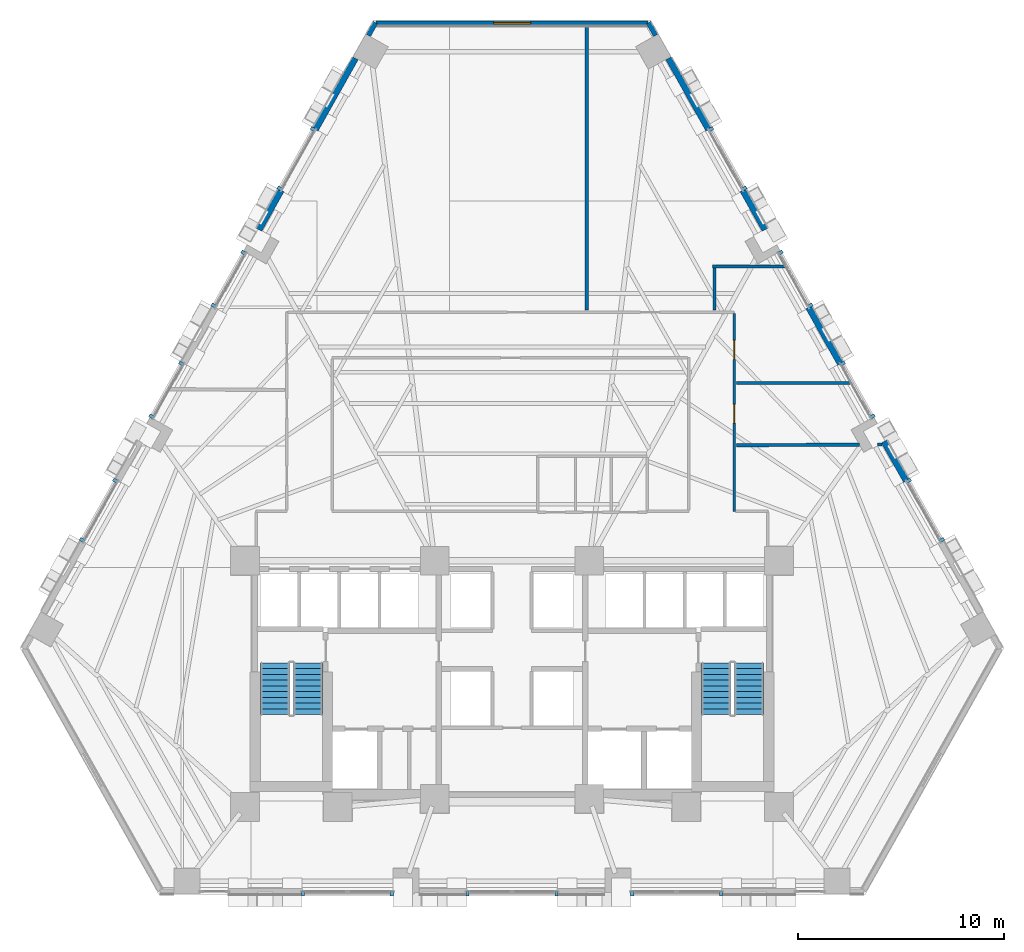
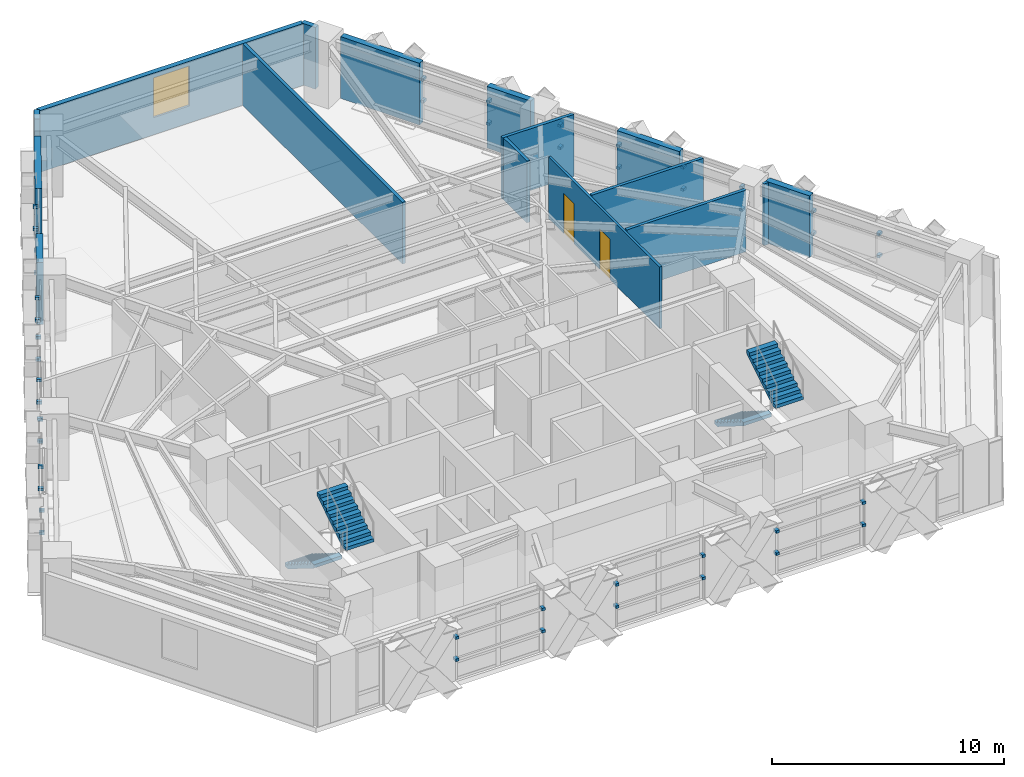
# One storey, part 9 of 13: 44 discrete accessories, 16 walls, 4 stair flights, 2 doors, 1 window, 3 openings, 2 elements without a shape of their own.
"""IFC4 building model written with IfcOpenShell, lengths in metres."""

from ifc_helpers import new_model, si_unit, direction, frame, frame_2d, origin, origin_2d, place, context, subcontext, project, spatial, polyline, rectangle, outline, extrude, material, layer, layer_set, type_object, element, fill, aggregate, save


model = new_model("IFC4")

# Units and contexts
model_context = context("Model", 3, precision=1e-05, world=origin(), true_north=direction((0.0, 1.0)))
body_context = subcontext(model_context, "Body", "Model", "MODEL_VIEW")
ifc_project = project(units=[si_unit("LENGTHUNIT", "METRE"), si_unit("AREAUNIT", "SQUARE_METRE"), si_unit("VOLUMEUNIT", "CUBIC_METRE"), si_unit("PLANEANGLEUNIT", "RADIAN"), si_unit("MASSUNIT", "GRAM", prefix="KILO")], contexts=[model_context])

# Site, building, storey
site_placement = place(None, origin())
site = spatial("IfcSite", under=ifc_project, at=site_placement, CompositionType="ELEMENT")
building_placement = place(site_placement, origin())
building = spatial("IfcBuilding", under=site, at=building_placement, Name="Quenlor Broadcast Tower", CompositionType="ELEMENT")
storey_placement = place(building_placement, frame((0.0, 0.0, 41.60009765625)))
storey = spatial("IfcBuildingStorey", under=building, at=storey_placement, Name="L10", CompositionType="ELEMENT", Elevation=41.60009765625)

# Walls
ifc_material_1 = material(Name="Gypsum Fireboard Partition", Category="other")
ifc_layer_1 = layer(ifc_material_1, 0.159912109375)
ifc_layer_set_1 = layer_set([ifc_layer_1], Name="Fire Rated Shaft and Corridor Partition 160")
wall_type_1 = type_object("IfcWallType", Name="Fire Rated Shaft and Corridor Partition 160", PredefinedType="PARTITIONING", material=ifc_layer_set_1)
wall_1_placement = place(storey_placement, frame((3.6201171875, 21.14990234375, 0.0), z_axis=(0.0, 0.0, 1.0), x_axis=(0.0, -1.0, 0.0)))
element("IfcWall", 1, at=wall_1_placement, inside=storey, type_object=wall_type_1, Name="L10 Interior Wall PW-DV-01", PredefinedType="PARTITIONING", context=body_context, shape_type="SweptSolid", body=[
    extrude(rectangle(XDim=13.789794921875, YDim=0.159912109375, at=frame_2d((6.89501953125, 0.0))), origin(), (0.0, 0.0, 1.0), 3.25),
])
wall_2_placement = place(storey_placement, frame((13.265869140625, 9.469482421875, 0.0), z_axis=(0.0, 0.0, 1.0), x_axis=(-0.999999314993, 0.001170475651, 0.0)))
element("IfcWall", 2, at=wall_2_placement, inside=storey, type_object=wall_type_1, Name="L10 Interior Wall PW-DV-02", PredefinedType="PARTITIONING", context=body_context, shape_type="SweptSolid", body=[
    extrude(rectangle(XDim=3.5458984375, YDim=0.159912109375, at=frame_2d((1.77294921875, 0.0))), origin(), (0.0, 0.0, 1.0), 3.25),
])
wall_3_placement = place(storey_placement, frame((9.820068359375, 9.3916015625, 0.0), z_axis=(0.0, 0.0, 1.0), x_axis=(0.0, -1.0, 0.0)))
element("IfcWall", 3, at=wall_3_placement, inside=storey, type_object=wall_type_1, Name="L10 Interior Wall PW-DV-03", PredefinedType="PARTITIONING", context=body_context, shape_type="SweptSolid", body=[
    extrude(rectangle(XDim=2.031494140625, YDim=0.159912109375, at=frame_2d((1.015625, 0.0))), origin(), (0.0, 0.0, 1.0), 3.25),
])
wall_4_placement = place(storey_placement, frame((16.443603515625, 3.820068359375, 0.0), z_axis=(0.0, 0.0, 1.0), x_axis=(-1.0, 0.0, 0.0)))
element("IfcWall", 4, at=wall_4_placement, inside=storey, type_object=wall_type_1, Name="L10 Interior Wall PW-DV-05", PredefinedType="PARTITIONING", context=body_context, shape_type="SweptSolid", body=[
    extrude(rectangle(XDim=5.55859375, YDim=0.159912109375, at=frame_2d((2.779296875, 0.0))), origin(), (0.0, 0.0, 1.0), 3.25),
])
wall_5_placement = place(storey_placement, frame((17.95751953125, 0.83935546875, 0.0), z_axis=(0.0, 0.0, 1.0), x_axis=(-0.999984076732, -0.005643250997, 0.0)))
element("IfcWall", 5, at=wall_5_placement, inside=storey, type_object=wall_type_1, Name="L10 Interior Wall PW-DV-06", PredefinedType="PARTITIONING", context=body_context, shape_type="SweptSolid", body=[
    extrude(rectangle(XDim=0.21630859375, YDim=0.159912109375, at=frame_2d((0.108154296875, 0.0))), origin(), (0.0, 0.0, 1.0), 3.25),
])
wall_6_placement = place(storey_placement, frame((16.853515625, 0.83349609375, 0.0), z_axis=(0.0, 0.0, 1.0), x_axis=(-0.999984753279, -0.005522065762, 0.0)))
element("IfcWall", 6, at=wall_6_placement, inside=storey, type_object=wall_type_1, Name="L10 Interior Wall PW-DV-06S2", PredefinedType="PARTITIONING", context=body_context, shape_type="SweptSolid", body=[
    extrude(rectangle(XDim=5.968505859375, YDim=0.159912109375, at=frame_2d((2.984375, 0.0))), origin(), (0.0, 0.0, 1.0), 3.25),
])

# Wall, openings, doors
ifc_material_2 = material(Name="Gypsum Plasterboard Partition", Category="other")
ifc_layer_2 = layer(ifc_material_2, 0.1201171875)
ifc_layer_set_2 = layer_set([ifc_layer_2], Name="Standard Office Partition 120")
wall_type_2 = type_object("IfcWallType", Name="Standard Office Partition 120", PredefinedType="PARTITIONING", material=ifc_layer_set_2)
wall_7_placement = place(storey_placement, frame((10.77490234375, 7.18798828125, 0.0), z_axis=(0.0, 0.0, 1.0), x_axis=(0.0, -1.0, 0.0)))
wall_7 = element("IfcWall", 7, at=wall_7_placement, inside=storey, type_object=wall_type_2, Name="L10 Interior Wall PW-CR-04", PredefinedType="PARTITIONING", context=body_context, shape_type="SweptSolid", body=[
    extrude(rectangle(XDim=9.587890625, YDim=0.1201171875, at=frame_2d((4.7939453125, 0.0))), origin(), (0.0, 0.0, 1.0), 3.25),
])
opening_1_placement = place(wall_7_placement, frame((1.302001953125, 0.0, 0.0)))
opening_1 = element("IfcOpeningElement", 8, at=opening_1_placement, cuts=wall_7, Name="Opening ID-1", PredefinedType="OPENING", context=body_context, shape_type="SweptSolid", body=[
    extrude(rectangle(XDim=0.919921875, YDim=2.1201171875, at=frame_2d((0.4599609375, 1.06005859375))), frame((0.0, 0.070068359375, 0.0), z_axis=(0.0, -1.0, 0.0), x_axis=(1.0, 0.0, 0.0)), (0.0, 0.0, 1.0), 0.14013671875),
])
opening_2_placement = place(wall_7_placement, frame((4.39794921875, 0.0, 0.0)))
opening_2 = element("IfcOpeningElement", 9, at=opening_2_placement, cuts=wall_7, Name="Opening ID-1", PredefinedType="OPENING", context=body_context, shape_type="SweptSolid", body=[
    extrude(rectangle(XDim=0.919921875, YDim=2.1201171875, at=frame_2d((0.4599609375, 1.06005859375))), frame((0.0, 0.070068359375, 0.0), z_axis=(0.0, -1.0, 0.0), x_axis=(1.0, 0.0, 0.0)), (0.0, 0.0, 1.0), 0.14013671875),
])
ifc_material_3 = material(Name="Solid Core Timber Oak", Category="wood")
door_type = type_object("IfcDoorType", Name="Single Leaf Timber Office Door 920x2120", OperationType="NOTDEFINED", PredefinedType="DOOR", material=ifc_material_3)
door_1_placement = place(opening_1_placement, origin())
door_1 = element("IfcDoor", 10, at=door_1_placement, inside=storey, type_object=door_type, Name="L10 Door DR-RM04", OperationType="SINGLE_SWING_LEFT", OverallHeight=2.1201171875, OverallWidth=0.919921875, PredefinedType="DOOR", context=body_context, shape_type="SweptSolid", body=[
    extrude(rectangle(XDim=0.919921875, YDim=2.1201171875, at=frame_2d((0.4599609375, 1.06005859375))), frame((0.0, 0.02490234375, 0.0), z_axis=(0.0, -1.0, 0.0), x_axis=(1.0, 0.0, 0.0)), (0.0, 0.0, 1.0), 0.050048828125),
])
fill(opening_1, door_1)
door_2_placement = place(opening_2_placement, origin())
door_2 = element("IfcDoor", 11, at=door_2_placement, inside=storey, type_object=door_type, Name="L10 Door DR-RM06", OperationType="SINGLE_SWING_LEFT", OverallHeight=2.1201171875, OverallWidth=0.919921875, PredefinedType="DOOR", context=body_context, shape_type="SweptSolid", body=[
    extrude(rectangle(XDim=0.919921875, YDim=2.1201171875, at=frame_2d((0.4599609375, 1.06005859375))), frame((0.0, 0.02490234375, 0.0), z_axis=(0.0, -1.0, 0.0), x_axis=(1.0, 0.0, 0.0)), (0.0, 0.0, 1.0), 0.050048828125),
])
fill(opening_2, door_2)

# Walls
ifc_material_4 = material(Name="Precast concrete C40/50", Category="concrete")
ifc_layer_3 = layer(ifc_material_4, 0.239990234375)
ifc_layer_set_3 = layer_set([ifc_layer_3], Name="Terrace Threshold Precast Concrete C40/50 Wall 240")
wall_type_3 = type_object("IfcWallType", Name="Terrace Threshold Precast Concrete C40/50 Wall 240", PredefinedType="STANDARD", material=ifc_layer_set_3)
for number, where, z_axis, x_axis, name in (
    (12, (6.621826171875, 21.30126953125, 0.0), (0.0, 0.0, 1.0), (0.490261239633, -0.871575537125, 0.0), "L10 Exterior Wall L10-SHD-NES0"),
    (13, (-6.968994140625, 20.68408203125, 0.0), (0.0, 0.0, 1.0), (0.490261239633, 0.871575537125, 0.0), "L10 Exterior Wall L10-SHD-NWS1"),
):
    element("IfcWall", number, at=place(storey_placement, frame(where, z_axis=z_axis, x_axis=x_axis)), inside=storey, type_object=wall_type_3, Name=name, PredefinedType="STANDARD", context=body_context, shape_type="SweptSolid", body=[
        extrude(rectangle(XDim=0.7080078125, YDim=0.239990234375, at=frame_2d((0.35400390625, 0.0))), origin(), (0.0, 0.0, 1.0), 3.25),
    ])

# Wall, opening, window
wall_8_placement = place(storey_placement, frame((6.598388671875, 21.27197265625, 0.0), z_axis=(0.0, 0.0, 1.0), x_axis=(-1.0, 0.0, 0.0)))
wall_8 = element("IfcWall", 14, at=wall_8_placement, inside=storey, type_object=wall_type_3, Name="L10 Exterior Wall L10-CNR-02", PredefinedType="STANDARD", context=body_context, shape_type="SweptSolid", body=[
    extrude(rectangle(XDim=13.186767578125, YDim=0.239990234375, at=frame_2d((6.59326171875, 0.0))), origin(), (0.0, 0.0, 1.0), 3.25),
])
opening_3_placement = place(wall_8_placement, frame((5.693115234375, 0.0, 0.89990234375)))
opening_3 = element("IfcOpeningElement", 15, at=opening_3_placement, cuts=wall_8, Name="Opening WN-1", PredefinedType="OPENING", context=body_context, shape_type="SweptSolid", body=[
    extrude(rectangle(XDim=1.800048828125, YDim=2.10009765625, at=frame_2d((0.89990234375, 1.050048828125))), frame((0.0, 0.1298828125, 0.0), z_axis=(0.0, -1.0, 0.0), x_axis=(1.0, 0.0, 0.0)), (0.0, 0.0, 1.0), 0.260009765625),
])
ifc_material_5 = material(Name="Thermally Broken Aluminium and Low-E Glass", Category="aluminium")
window_type = type_object("IfcWindowType", Name="Tower Acoustic Vision Window 1800x2100", PartitioningType="SINGLE_PANEL", PredefinedType="WINDOW", material=ifc_material_5)
window_placement = place(opening_3_placement, origin())
window = element("IfcWindow", 16, at=window_placement, inside=storey, type_object=window_type, Name="L10 Corner Chamfer Window 2", OverallHeight=2.10009765625, OverallWidth=1.800048828125, PartitioningType="SINGLE_PANEL", PredefinedType="WINDOW", context=body_context, shape_type="SweptSolid", body=[
    extrude(rectangle(XDim=1.800048828125, YDim=2.10009765625, at=frame_2d((0.89990234375, 1.050048828125))), frame((0.0, 0.030029296875, 0.0), z_axis=(0.0, -1.0, 0.0), x_axis=(1.0, 0.0, 0.0)), (0.0, 0.0, 1.0), 0.06005859375),
])
fill(opening_3, window)

# Walls
ifc_material_6 = material(Name="Precast concrete C40/50", Category="concrete")
ifc_layer_4 = layer(ifc_material_6, 0.300048828125)
ifc_layer_set_4 = layer_set([ifc_layer_4], Name="Terracotta Precast Concrete C40/50 Spandrel Wall 300")
wall_type_4 = type_object("IfcWallType", Name="Terracotta Precast Concrete C40/50 Spandrel Wall 300", PredefinedType="STANDARD", material=ifc_layer_set_4)
wall_9_placement = place(storey_placement, frame((7.5966796875, 19.568603515625, 0.0), z_axis=(0.0, 0.0, 1.0), x_axis=(0.490240735008, -0.871587070659, 0.0)))
element("IfcWall", 17, at=wall_9_placement, inside=storey, type_object=wall_type_4, Name="L10 Exterior Wall L10-NEA-SP1", PredefinedType="STANDARD", context=body_context, shape_type="SweptSolid", body=[
    extrude(rectangle(XDim=3.95703125, YDim=0.300048828125, at=frame_2d((1.978515625, 0.0))), origin(), (0.0, 0.0, 1.0), 3.25),
])
wall_10_placement = place(storey_placement, frame((11.194091796875, 13.1728515625, 0.0), z_axis=(0.0, 0.0, 1.0), x_axis=(0.490324540864, -0.871539927156, 0.0)))
element("IfcWall", 18, at=wall_10_placement, inside=storey, type_object=wall_type_4, Name="L10 Exterior Wall L10-NEA-SP2", PredefinedType="STANDARD", context=body_context, shape_type="SweptSolid", body=[
    extrude(rectangle(XDim=2.197265625, YDim=0.300048828125, at=frame_2d((1.0986328125, 0.0))), origin(), (0.0, 0.0, 1.0), 3.25),
])
wall_11_placement = place(storey_placement, frame((18.049560546875, 0.985595703125, 0.0), z_axis=(0.0, 0.0, 1.0), x_axis=(0.490277063651, -0.871566635925, 0.0)))
element("IfcWall", 19, at=wall_11_placement, inside=storey, type_object=wall_type_4, Name="L10 Exterior Wall L10-NEC-SP1", PredefinedType="STANDARD", context=body_context, shape_type="SweptSolid", body=[
    extrude(rectangle(XDim=2.197509765625, YDim=0.300048828125, at=frame_2d((1.0986328125, 0.0))), origin(), (0.0, 0.0, 1.0), 3.25),
])
wall_12_placement = place(storey_placement, frame((14.390869140625, 7.48974609375, 0.0), z_axis=(0.0, 0.0, 1.0), x_axis=(0.490290775148, -0.871558922738, 0.0)))
element("IfcWall", 20, at=wall_12_placement, inside=storey, type_object=wall_type_4, Name="L10 Exterior Wall L10-NE-SP1", PredefinedType="STANDARD", context=body_context, shape_type="SweptSolid", body=[
    extrude(rectangle(XDim=3.1396484375, YDim=0.300048828125, at=frame_2d((1.56982421875, 0.0))), origin(), (0.0, 0.0, 1.0), 3.25),
])
wall_13_placement = place(storey_placement, frame((-12.271484375, 11.2578125, 0.0), z_axis=(0.0, 0.0, 1.0), x_axis=(0.490324540864, 0.871539927156, 0.0)))
element("IfcWall", 21, at=wall_13_placement, inside=storey, type_object=wall_type_4, Name="L10 Exterior Wall L10-NWC-SP1", PredefinedType="STANDARD", context=body_context, shape_type="SweptSolid", body=[
    extrude(rectangle(XDim=2.197265625, YDim=0.300048828125, at=frame_2d((1.0986328125, 0.0))), origin(), (0.0, 0.0, 1.0), 3.25),
])
wall_14_placement = place(storey_placement, frame((-9.53662109375, 16.11962890625, 0.0), z_axis=(0.0, 0.0, 1.0), x_axis=(0.490240735008, 0.871587070659, 0.0)))
element("IfcWall", 22, at=wall_14_placement, inside=storey, type_object=wall_type_4, Name="L10 Exterior Wall L10-NWC-SP2", PredefinedType="STANDARD", context=body_context, shape_type="SweptSolid", body=[
    extrude(rectangle(XDim=3.95703125, YDim=0.300048828125, at=frame_2d((1.978515625, 0.0))), origin(), (0.0, 0.0, 1.0), 3.25),
])

# Stair, stair flights
ifc_material_7 = material(Name="Precast concrete C40/50", Category="concrete")
stair_type = type_object("IfcStairType", Name="Precast Concrete C40/50 Dogleg Stair H350", PredefinedType="HALF_TURN_STAIR", material=ifc_material_7)
stair_1_placement = place(storey_placement, origin())
stair_1 = element("IfcStair", 23, at=stair_1_placement, inside=storey, type_object=stair_type, Name="L10 West Core Fire-Isolated Exit Stair ST-1", PredefinedType="HALF_TURN_STAIR")
ifc_material_8 = material(Name="Precast concrete C40/50", Category="concrete")
ifc_layer_5 = layer(ifc_material_8, 0.159912109375)
ifc_layer_set_5 = layer_set([ifc_layer_5], Name="Precast Concrete C40/50 Stair Flight H350")
stair_flight_type = type_object("IfcStairFlightType", Name="Precast Concrete C40/50 Stair Flight H350", PredefinedType="STRAIGHT", material=ifc_layer_set_5)
stair_flight_1_placement = place(storey_placement, frame((-11.5, -9.75, 0.0), z_axis=(0.0, 0.0, 1.0), x_axis=(0.0, -1.0, 0.0)))
stair_flight_1 = element("IfcStairFlight", 24, at=stair_flight_1_placement, type_object=stair_flight_type, Name="ST-1 flight 1", NumberOfRisers=10, NumberOfTreads=9, PredefinedType="STRAIGHT", RiserHeight=0.175, TreadLength=0.28, context=body_context, shape_type="SweptSolid", body=[
    extrude(outline(polyline([(0.0, 0.0), (0.0, 0.175048828125), (0.280029296875, 0.175048828125), (0.280029296875, 0.35009765625), (0.56005859375, 0.35009765625), (0.56005859375, 0.52490234375), (0.840087890625, 0.52490234375), (0.840087890625, 0.699951171875), (1.1201171875, 0.699951171875), (1.1201171875, 0.875), (1.39990234375, 0.875), (1.39990234375, 1.050048828125), (1.679931640625, 1.050048828125), (1.679931640625, 1.22509765625), (1.9599609375, 1.22509765625), (1.9599609375, 1.39990234375), (2.239990234375, 1.39990234375), (2.239990234375, 1.574951171875), (2.52001953125, 1.574951171875), (2.52001953125, 1.75), (2.52001953125, 1.398193359375), (0.28271484375, 0.0), (0.0, 0.0)])), frame((0.0, 0.699951171875, 0.0), z_axis=(0.0, -1.0, 0.0), x_axis=(1.0, 0.0, 0.0)), (0.0, 0.0, 1.0), 1.39990234375),
])
stair_flight_2_placement = place(storey_placement, frame((-9.89990234375, -12.27001953125, 1.75), z_axis=(0.0, 0.0, 1.0), x_axis=(0.0, 1.0, 0.0)))
stair_flight_2 = element("IfcStairFlight", 25, at=stair_flight_2_placement, type_object=stair_flight_type, Name="ST-1 flight 2", NumberOfRisers=10, NumberOfTreads=9, PredefinedType="STRAIGHT", RiserHeight=0.175, TreadLength=0.28, context=body_context, shape_type="SweptSolid", body=[
    extrude(outline(polyline([(0.0, 0.0), (0.0, 0.175048828125), (0.280029296875, 0.175048828125), (0.280029296875, 0.35009765625), (0.56005859375, 0.35009765625), (0.56005859375, 0.52490234375), (0.840087890625, 0.52490234375), (0.840087890625, 0.699951171875), (1.1201171875, 0.699951171875), (1.1201171875, 0.875), (1.39990234375, 0.875), (1.39990234375, 1.050048828125), (1.679931640625, 1.050048828125), (1.679931640625, 1.22509765625), (1.9599609375, 1.22509765625), (1.9599609375, 1.39990234375), (2.239990234375, 1.39990234375), (2.239990234375, 1.574951171875), (2.52001953125, 1.574951171875), (2.52001953125, 1.75), (2.52001953125, 1.398193359375), (0.28271484375, 0.0), (0.0, 0.0)])), frame((0.0, 0.699951171875, 0.0), z_axis=(0.0, -1.0, 0.0), x_axis=(1.0, 0.0, 0.0)), (0.0, 0.0, 1.0), 1.39990234375),
])
aggregate(stair_1, [stair_flight_1, stair_flight_2])

stair_2_placement = place(storey_placement, origin())
stair_2 = element("IfcStair", 26, at=stair_2_placement, inside=storey, type_object=stair_type, Name="L10 East Core Fire-Isolated Exit Stair ST-2", PredefinedType="HALF_TURN_STAIR")
stair_flight_3_placement = place(storey_placement, frame((9.89990234375, -9.75, 0.0), z_axis=(0.0, 0.0, 1.0), x_axis=(0.0, -1.0, 0.0)))
stair_flight_3 = element("IfcStairFlight", 27, at=stair_flight_3_placement, type_object=stair_flight_type, Name="ST-2 flight 1", NumberOfRisers=10, NumberOfTreads=9, PredefinedType="STRAIGHT", RiserHeight=0.175, TreadLength=0.28, context=body_context, shape_type="SweptSolid", body=[
    extrude(outline(polyline([(0.0, 0.0), (0.0, 0.175048828125), (0.280029296875, 0.175048828125), (0.280029296875, 0.35009765625), (0.56005859375, 0.35009765625), (0.56005859375, 0.52490234375), (0.840087890625, 0.52490234375), (0.840087890625, 0.699951171875), (1.1201171875, 0.699951171875), (1.1201171875, 0.875), (1.39990234375, 0.875), (1.39990234375, 1.050048828125), (1.679931640625, 1.050048828125), (1.679931640625, 1.22509765625), (1.9599609375, 1.22509765625), (1.9599609375, 1.39990234375), (2.239990234375, 1.39990234375), (2.239990234375, 1.574951171875), (2.52001953125, 1.574951171875), (2.52001953125, 1.75), (2.52001953125, 1.398193359375), (0.28271484375, 0.0), (0.0, 0.0)])), frame((0.0, 0.699951171875, 0.0), z_axis=(0.0, -1.0, 0.0), x_axis=(1.0, 0.0, 0.0)), (0.0, 0.0, 1.0), 1.39990234375),
])
stair_flight_4_placement = place(storey_placement, frame((11.5, -12.27001953125, 1.75), z_axis=(0.0, 0.0, 1.0), x_axis=(0.0, 1.0, 0.0)))
stair_flight_4 = element("IfcStairFlight", 28, at=stair_flight_4_placement, type_object=stair_flight_type, Name="ST-2 flight 2", NumberOfRisers=10, NumberOfTreads=9, PredefinedType="STRAIGHT", RiserHeight=0.175, TreadLength=0.28, context=body_context, shape_type="SweptSolid", body=[
    extrude(outline(polyline([(0.0, 0.0), (0.0, 0.175048828125), (0.280029296875, 0.175048828125), (0.280029296875, 0.35009765625), (0.56005859375, 0.35009765625), (0.56005859375, 0.52490234375), (0.840087890625, 0.52490234375), (0.840087890625, 0.699951171875), (1.1201171875, 0.699951171875), (1.1201171875, 0.875), (1.39990234375, 0.875), (1.39990234375, 1.050048828125), (1.679931640625, 1.050048828125), (1.679931640625, 1.22509765625), (1.9599609375, 1.22509765625), (1.9599609375, 1.39990234375), (2.239990234375, 1.39990234375), (2.239990234375, 1.574951171875), (2.52001953125, 1.574951171875), (2.52001953125, 1.75), (2.52001953125, 1.398193359375), (0.28271484375, 0.0), (0.0, 0.0)])), frame((0.0, 0.699951171875, 0.0), z_axis=(0.0, -1.0, 0.0), x_axis=(1.0, 0.0, 0.0)), (0.0, 0.0, 1.0), 1.39990234375),
])
aggregate(stair_2, [stair_flight_3, stair_flight_4])

# Discrete accessories
ifc_material_9 = material(Name="Aluminium 6063-T6", Category="aluminium")
discrete_accessory_type = type_object("IfcDiscreteAccessoryType", Name="Stainless Mullion Baguette Support Bracket", PredefinedType="BRACKET", material=ifc_material_9)
for number, where, z_axis, x_axis, name in (
    (29, (10.134765625, -20.949951171875, 1.10009765625), (0.0, 0.0, 1.0), (-1.0, 0.0, 0.0), "L10 Baguette Mullion Bracket 1.1"),
    (30, (5.830810546875, -20.949951171875, 1.10009765625), (0.0, 0.0, 1.0), (-1.0, 0.0, 0.0), "L10 Baguette Mullion Bracket 1.2"),
    (31, (10.134765625, -20.949951171875, 2.27001953125), (0.0, 0.0, 1.0), (-1.0, 0.0, 0.0), "L10 Baguette Mullion Bracket 2.1"),
    (32, (5.830810546875, -20.949951171875, 2.27001953125), (0.0, 0.0, 1.0), (-1.0, 0.0, 0.0), "L10 Baguette Mullion Bracket 2.2"),
    (33, (-5.830810546875, -20.949951171875, 1.10009765625), (0.0, 0.0, 1.0), (-1.0, 0.0, 0.0), "L10 Baguette Mullion Bracket 1.1"),
    (34, (-10.134765625, -20.949951171875, 1.10009765625), (0.0, 0.0, 1.0), (-1.0, 0.0, 0.0), "L10 Baguette Mullion Bracket 1.2"),
    (35, (-5.830810546875, -20.949951171875, 2.27001953125), (0.0, 0.0, 1.0), (-1.0, 0.0, 0.0), "L10 Baguette Mullion Bracket 2.1"),
    (36, (-10.134765625, -20.949951171875, 2.27001953125), (0.0, 0.0, 1.0), (-1.0, 0.0, 0.0), "L10 Baguette Mullion Bracket 2.2"),
    (37, (2.154296875, -20.949951171875, 1.10009765625), (0.0, 0.0, 1.0), (-1.0, 0.0, 0.0), "L10 Baguette Mullion Bracket 1.1"),
    (38, (-2.154296875, -20.949951171875, 1.10009765625), (0.0, 0.0, 1.0), (-1.0, 0.0, 0.0), "L10 Baguette Mullion Bracket 1.2"),
    (39, (2.154296875, -20.949951171875, 2.27001953125), (0.0, 0.0, 1.0), (-1.0, 0.0, 0.0), "L10 Baguette Mullion Bracket 2.1"),
    (40, (-2.154296875, -20.949951171875, 2.27001953125), (0.0, 0.0, 1.0), (-1.0, 0.0, 0.0), "L10 Baguette Mullion Bracket 2.2"),
    (41, (9.652099609375, 16.138916015625, 1.10009765625), (0.0, 0.0, 1.0), (0.490243691999, -0.871585407436, 0.0), "L10 Baguette Mullion Bracket 1.1"),
    (42, (11.2705078125, 13.26171875, 1.10009765625), (0.0, 0.0, 1.0), (0.490243691999, -0.871585407436, 0.0), "L10 Baguette Mullion Bracket 1.2"),
    (43, (9.652099609375, 16.138916015625, 2.27001953125), (0.0, 0.0, 1.0), (0.490243691999, -0.871585407436, 0.0), "L10 Baguette Mullion Bracket 2.1"),
    (44, (11.2705078125, 13.26171875, 2.27001953125), (0.0, 0.0, 1.0), (0.490243691999, -0.871585407436, 0.0), "L10 Baguette Mullion Bracket 2.2"),
    (45, (19.242431640625, -0.91064453125, 1.10009765625), (0.0, 0.0, 1.0), (0.49025738277, -0.871577706599, 0.0), "L10 Baguette Mullion Bracket 1.1"),
    (46, (20.860595703125, -3.78759765625, 1.10009765625), (0.0, 0.0, 1.0), (0.49025738277, -0.871577706599, 0.0), "L10 Baguette Mullion Bracket 1.2"),
    (47, (19.242431640625, -0.91064453125, 2.27001953125), (0.0, 0.0, 1.0), (0.49025738277, -0.871577706599, 0.0), "L10 Baguette Mullion Bracket 2.1"),
    (48, (20.860595703125, -3.78759765625, 2.27001953125), (0.0, 0.0, 1.0), (0.49025738277, -0.871577706599, 0.0), "L10 Baguette Mullion Bracket 2.2"),
    (49, (13.021728515625, 10.148193359375, 1.10009765625), (0.0, 0.0, 1.0), (0.49027411577, -0.871568294172, 0.0), "L10 Baguette Mullion Bracket 1.1"),
    (50, (14.46728515625, 7.57861328125, 1.10009765625), (0.0, 0.0, 1.0), (0.49027411577, -0.871568294172, 0.0), "L10 Baguette Mullion Bracket 1.2"),
    (51, (13.021728515625, 10.148193359375, 2.27001953125), (0.0, 0.0, 1.0), (0.49027411577, -0.871568294172, 0.0), "L10 Baguette Mullion Bracket 2.1"),
    (52, (14.46728515625, 7.57861328125, 2.27001953125), (0.0, 0.0, 1.0), (0.49027411577, -0.871568294172, 0.0), "L10 Baguette Mullion Bracket 2.2"),
    (53, (16.045654296875, 4.7724609375, 1.10009765625), (0.0, 0.0, 1.0), (0.49027411577, -0.871568294172, 0.0), "L10 Baguette Mullion Bracket 1.1"),
    (54, (17.490966796875, 2.202880859375, 1.10009765625), (0.0, 0.0, 1.0), (0.49027411577, -0.871568294172, 0.0), "L10 Baguette Mullion Bracket 1.2"),
    (55, (16.045654296875, 4.7724609375, 2.27001953125), (0.0, 0.0, 1.0), (0.49027411577, -0.871568294172, 0.0), "L10 Baguette Mullion Bracket 2.1"),
    (56, (17.490966796875, 2.202880859375, 2.27001953125), (0.0, 0.0, 1.0), (0.49027411577, -0.871568294172, 0.0), "L10 Baguette Mullion Bracket 2.2"),
    (57, (-20.860595703125, -3.78759765625, 1.10009765625), (0.0, 0.0, 1.0), (0.49025738277, 0.871577706599, 0.0), "L10 Baguette Mullion Bracket 1.1"),
    (58, (-19.242431640625, -0.91064453125, 1.10009765625), (0.0, 0.0, 1.0), (0.49025738277, 0.871577706599, 0.0), "L10 Baguette Mullion Bracket 1.2"),
    (59, (-20.860595703125, -3.78759765625, 2.27001953125), (0.0, 0.0, 1.0), (0.49025738277, 0.871577706599, 0.0), "L10 Baguette Mullion Bracket 2.1"),
    (60, (-19.242431640625, -0.91064453125, 2.27001953125), (0.0, 0.0, 1.0), (0.49025738277, 0.871577706599, 0.0), "L10 Baguette Mullion Bracket 2.2"),
    (61, (-11.2705078125, 13.26171875, 1.10009765625), (0.0, 0.0, 1.0), (0.490243691999, 0.871585407436, 0.0), "L10 Baguette Mullion Bracket 1.1"),
    (62, (-9.652099609375, 16.138916015625, 1.10009765625), (0.0, 0.0, 1.0), (0.490243691999, 0.871585407436, 0.0), "L10 Baguette Mullion Bracket 1.2"),
    (63, (-11.2705078125, 13.26171875, 2.27001953125), (0.0, 0.0, 1.0), (0.490243691999, 0.871585407436, 0.0), "L10 Baguette Mullion Bracket 2.1"),
    (64, (-9.652099609375, 16.138916015625, 2.27001953125), (0.0, 0.0, 1.0), (0.490243691999, 0.871585407436, 0.0), "L10 Baguette Mullion Bracket 2.2"),
    (65, (-17.490966796875, 2.202880859375, 1.10009765625), (0.0, 0.0, 1.0), (0.49027411577, 0.871568294172, 0.0), "L10 Baguette Mullion Bracket 1.1"),
    (66, (-16.045654296875, 4.7724609375, 1.10009765625), (0.0, 0.0, 1.0), (0.49027411577, 0.871568294172, 0.0), "L10 Baguette Mullion Bracket 1.2"),
    (67, (-17.490966796875, 2.202880859375, 2.27001953125), (0.0, 0.0, 1.0), (0.49027411577, 0.871568294172, 0.0), "L10 Baguette Mullion Bracket 2.1"),
    (68, (-16.045654296875, 4.7724609375, 2.27001953125), (0.0, 0.0, 1.0), (0.49027411577, 0.871568294172, 0.0), "L10 Baguette Mullion Bracket 2.2"),
    (69, (-14.46728515625, 7.57861328125, 1.10009765625), (0.0, 0.0, 1.0), (0.49027411577, 0.871568294172, 0.0), "L10 Baguette Mullion Bracket 1.1"),
    (70, (-13.021728515625, 10.148193359375, 1.10009765625), (0.0, 0.0, 1.0), (0.49027411577, 0.871568294172, 0.0), "L10 Baguette Mullion Bracket 1.2"),
    (71, (-14.46728515625, 7.57861328125, 2.27001953125), (0.0, 0.0, 1.0), (0.49027411577, 0.871568294172, 0.0), "L10 Baguette Mullion Bracket 2.1"),
    (72, (-13.021728515625, 10.148193359375, 2.27001953125), (0.0, 0.0, 1.0), (0.49027411577, 0.871568294172, 0.0), "L10 Baguette Mullion Bracket 2.2"),
):
    element("IfcDiscreteAccessory", number, at=place(storey_placement, frame(where, z_axis=z_axis, x_axis=x_axis)), inside=storey, type_object=discrete_accessory_type, Name=name, PredefinedType="BRACKET", context=body_context, shape_type="SweptSolid", body=[
        extrude(rectangle(XDim=0.159912109375, YDim=0.239990234375, at=origin_2d()), origin(), (0.0, 0.0, 1.0), 0.139892578125),
    ])

save(model, "model.ifc")
